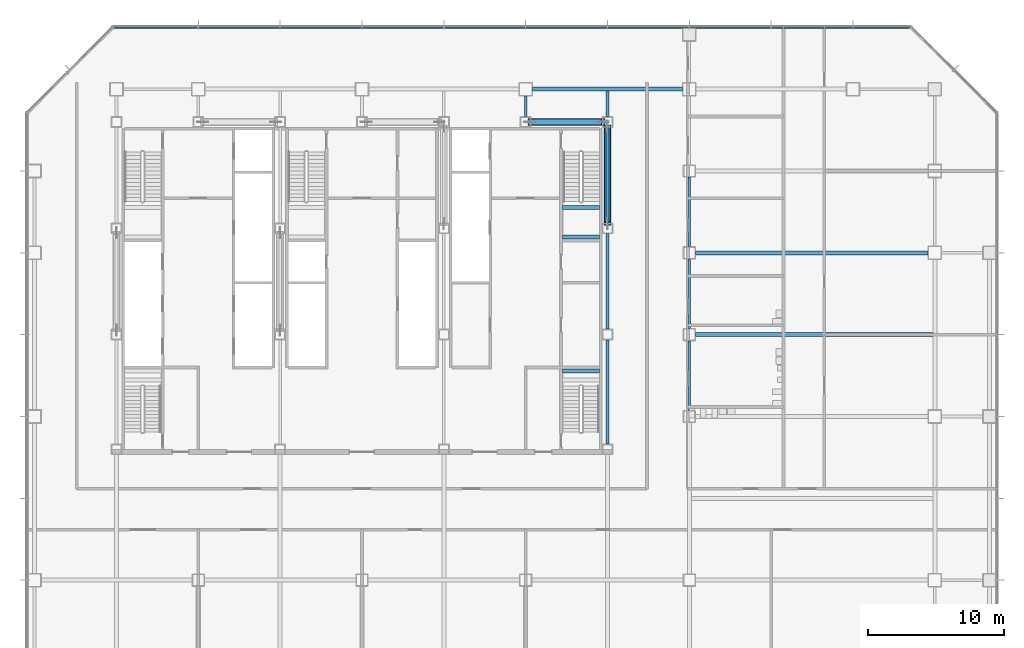
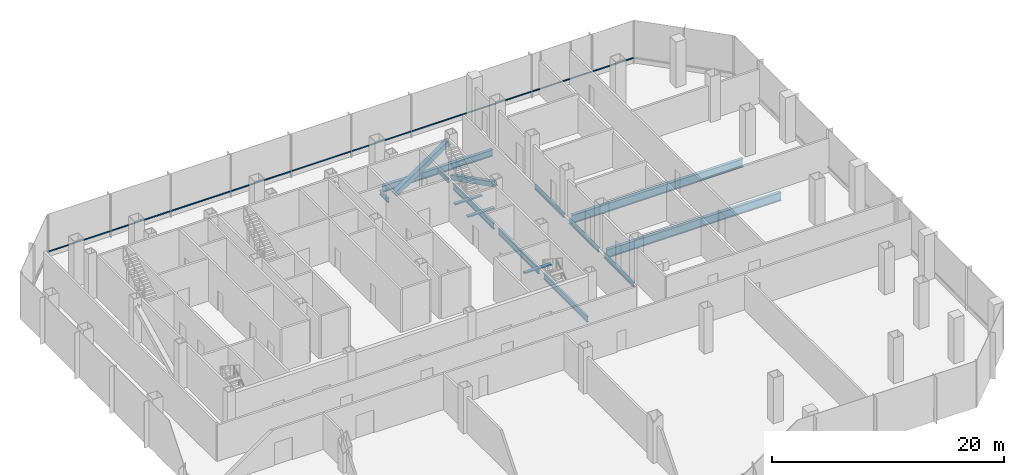
# One storey, part 15 of 34: 14 beams, 3 members, 1 element without a shape of its own.
"""IFC4 building model written with IfcOpenShell, lengths in metres."""

import ifcopenshell
import ifcopenshell.guid

model = None  # the IFC model being written
_history = None  # IfcOwnerHistory: only IFC2X3 demands one
_inside = {}  # id of a spatial element -> (the spatial element, [elements in it])
_under = {}  # id of a project, library or spatial element -> (it, [spatial elements below it])
_declared = {}  # id of a project -> (the project, [libraries it declares])
_typed = {}  # id of a type object -> (the type object, [elements of that type])
_made_of = {}  # id of a material, layer set ... -> (it, [elements and type objects made of it])


def new_model(schema):
    """Start an empty IFC model of exactly this schema.

    Asked for "IFC4X3", IfcOpenShell would pick the latest addendum, in which some entities
    have other attributes; the version numbers below select the first issue.
    IFC2X3 requires an IfcOwnerHistory on every rooted entity: one is made here for all.
    """
    global model, _history
    if schema == "IFC4X3":
        model = ifcopenshell.file(schema_version=(4, 3, 0, 0))
    else:
        model = ifcopenshell.file(schema=schema)
    _inside.clear()
    _under.clear()
    _declared.clear()
    _typed.clear()
    _made_of.clear()
    _history = None
    if model.schema == "IFC2X3":
        org = make("IfcOrganization", Name="unknown")
        user = make(
            "IfcPersonAndOrganization",
            ThePerson=make("IfcPerson", FamilyName="unknown"),
            TheOrganization=org,
        )
        app = make(
            "IfcApplication",
            ApplicationDeveloper=org,
            Version="unknown",
            ApplicationFullName="unknown",
            ApplicationIdentifier="unknown",
        )
        _history = make(
            "IfcOwnerHistory",
            OwningUser=user,
            OwningApplication=app,
            ChangeAction="ADDED",
            CreationDate=0,
        )
    return model


def make(cls, **values):
    """One entity of the class cls with the attributes given. An attribute that is None is left unset."""
    return model.create_entity(
        cls, **{name: value for name, value in values.items() if value is not None}
    )


def rooted(cls, **values):
    """An entity with a GlobalId (a new one), such as an element, a storey or a relation."""
    return make(cls, GlobalId=ifcopenshell.guid.new(), OwnerHistory=_history, **values)


def si_unit(unit_type, name, prefix=None):
    """IfcSIUnit, for example si_unit("LENGTHUNIT", "METRE", prefix="MILLI")."""
    return make("IfcSIUnit", UnitType=unit_type, Prefix=prefix, Name=name)


def assignment(units):
    """IfcUnitAssignment: the units of a project."""
    return None if units is None else make("IfcUnitAssignment", Units=units)


def point(xyz):
    """IfcCartesianPoint."""
    return None if xyz is None else make("IfcCartesianPoint", Coordinates=xyz)


def direction(xyz):
    """IfcDirection."""
    return None if xyz is None else make("IfcDirection", DirectionRatios=xyz)


def frame(location, z_axis=None, x_axis=None):
    """IfcAxis2Placement3D, a coordinate frame: its origin and axes. An axis left out is left unset."""
    return make(
        "IfcAxis2Placement3D",
        Location=point(location),
        Axis=direction(z_axis),
        RefDirection=direction(x_axis),
    )


def frame_2d(location, x_axis=None):
    """IfcAxis2Placement2D, a coordinate frame in the plane: its origin and x axis."""
    return make(
        "IfcAxis2Placement2D", Location=point(location), RefDirection=direction(x_axis)
    )


def origin():
    """The frame at (0, 0, 0) with its axes left unset."""
    return frame((0.0, 0.0, 0.0))


def origin_2d():
    """The frame at (0, 0) in the plane with its x axis left unset."""
    return frame_2d((0.0, 0.0))


def place(relative_to, where):
    """IfcLocalPlacement: puts the frame where relative to a parent placement (None: the world)."""
    return make(
        "IfcLocalPlacement", PlacementRelTo=relative_to, RelativePlacement=where
    )


def context(
    kind, dimensions, precision=None, world=None, true_north=None, identifier=None
):
    """IfcGeometricRepresentationContext, for example the 3D "Model" context."""
    return make(
        "IfcGeometricRepresentationContext",
        ContextIdentifier=identifier,
        ContextType=kind,
        CoordinateSpaceDimension=dimensions,
        Precision=precision,
        WorldCoordinateSystem=world,
        TrueNorth=true_north,
    )


def subcontext(parent, identifier, kind, view, scale=None):
    """IfcGeometricRepresentationSubContext, for example "Body" below "Model"."""
    return make(
        "IfcGeometricRepresentationSubContext",
        ContextIdentifier=identifier,
        ContextType=kind,
        ParentContext=parent,
        TargetScale=scale,
        TargetView=view,
    )


def project(units=None, contexts=None):
    """IfcProject with its units and contexts."""
    return rooted(
        "IfcProject",
        Name="project",
        RepresentationContexts=contexts,
        UnitsInContext=assignment(units),
    )


def spatial(cls, under=None, at=None, **own):
    """A site, building, storey or space (cls), placed at a placement, below another one or the project."""
    s = rooted(cls, ObjectPlacement=at, **own)
    if under is not None:
        _under.setdefault(under.id(), (under, []))[1].append(s)
    return s


def profile(cls, at=None, kind="AREA", **sizes):
    """A parametric profile (cls). Its sizes go by their IFC names, for example OverallWidth=200.0."""
    return make(cls, ProfileType=kind, Position=at, **sizes)


def rectangle(**sizes):
    """IfcRectangleProfileDef."""
    return profile("IfcRectangleProfileDef", **sizes)


def hollow_rectangle(**sizes):
    """IfcRectangleHollowProfileDef."""
    return profile("IfcRectangleHollowProfileDef", **sizes)


def i_section(**sizes):
    """IfcIShapeProfileDef."""
    return profile("IfcIShapeProfileDef", **sizes)


def extrude(swept, where, along, depth):
    """IfcExtrudedAreaSolid: the profile swept, set in the frame where, extruded along a direction by depth."""
    return make(
        "IfcExtrudedAreaSolid",
        SweptArea=swept,
        Position=where,
        ExtrudedDirection=direction(along),
        Depth=depth,
    )


def shape(context_of_items, identifier, shape_type, items):
    """IfcShapeRepresentation: the items that make up one representation, for example the "Body"."""
    return make(
        "IfcShapeRepresentation",
        ContextOfItems=context_of_items,
        RepresentationIdentifier=identifier,
        RepresentationType=shape_type,
        Items=items,
    )


def material(Name=None, Category=None):
    """IfcMaterial."""
    return make("IfcMaterial", Name=Name, Category=Category)


def material_profile(
    of_material, cross_section, Name=None, Category=None, Priority=None
):
    """IfcMaterialProfile: a cross section and its material."""
    return make(
        "IfcMaterialProfile",
        Name=Name,
        Material=of_material,
        Profile=cross_section,
        Priority=Priority,
        Category=Category,
    )


def profile_set(profiles, Name=None, composite=None):
    """IfcMaterialProfileSet."""
    return make(
        "IfcMaterialProfileSet",
        Name=Name,
        MaterialProfiles=profiles,
        CompositeProfile=composite,
    )


def made_of(thing, what):
    """Note that an element or type object is made of a material, layer set ...; save() writes the relation."""
    if what is not None:
        _made_of.setdefault(what.id(), (what, []))[1].append(thing)
    return thing


def type_object(cls, material=None, **own):
    """A type object (cls), such as IfcWallType, which elements share."""
    return made_of(rooted(cls, **own), material)


def element(
    cls,
    number,
    at=None,
    inside=None,
    cuts=None,
    type_object=None,
    material=None,
    context=None,
    identifier="Body",
    shape_type=None,
    held_by="IfcProductDefinitionShape",
    body=None,
    shapes=None,
    **own,
):
    """One element of the class cls, such as IfcWall. Its Tag is "e" and its number.

    at: its placement. inside: the storey or other place that contains it. cuts: it is an
    opening in that element (IfcRelVoidsElement). A single representation is given by context,
    identifier, shape_type and body (its items); several are given by shapes. held_by: the class
    of the entity that holds the representations. save() writes the other relations.
    """
    e = rooted(cls, Tag="e%d" % number, ObjectPlacement=at, **own)
    if body is not None:
        shapes = [shape(context, identifier, shape_type, body)]
    if shapes is not None:
        e.Representation = make(held_by, Representations=shapes)
    if inside is not None:
        _inside.setdefault(inside.id(), (inside, []))[1].append(e)
    if cuts is not None:
        rooted(
            "IfcRelVoidsElement", RelatingBuildingElement=cuts, RelatedOpeningElement=e
        )
    if type_object is not None:
        _typed.setdefault(type_object.id(), (type_object, []))[1].append(e)
    return made_of(e, material)


def aggregate(whole, parts):
    """IfcRelAggregates: a whole, such as a stair, and the parts it consists of."""
    return rooted("IfcRelAggregates", RelatingObject=whole, RelatedObjects=parts)


def save(model, path):
    """Write the relations noted so far, then the file.

    IfcRelAggregates (storeys below a building ...), IfcRelContainedInSpatialStructure (elements
    in a storey), IfcRelDefinesByType, IfcRelAssociatesMaterial and IfcRelDeclares: one each for
    every whole, place, type object, material and project.
    """
    for whole, parts in _under.values():
        aggregate(whole, parts)
    for where, things in _inside.values():
        rooted(
            "IfcRelContainedInSpatialStructure",
            RelatedElements=things,
            RelatingStructure=where,
        )
    for kind, things in _typed.values():
        rooted("IfcRelDefinesByType", RelatedObjects=things, RelatingType=kind)
    for what, things in _made_of.values():
        rooted("IfcRelAssociatesMaterial", RelatedObjects=things, RelatingMaterial=what)
    for by, libraries in _declared.values():
        rooted("IfcRelDeclares", RelatingContext=by, RelatedDefinitions=libraries)
    model.write(path)


model = new_model("IFC4")

# Units and contexts
model_context = context("Model", 3, precision=1e-05, world=origin(), true_north=direction((0.0, 1.0)))
body_context = subcontext(model_context, "Body", "Model", "MODEL_VIEW")
ifc_project = project(units=[si_unit("LENGTHUNIT", "METRE"), si_unit("AREAUNIT", "SQUARE_METRE"), si_unit("VOLUMEUNIT", "CUBIC_METRE"), si_unit("PLANEANGLEUNIT", "RADIAN"), si_unit("MASSUNIT", "GRAM", prefix="KILO")], contexts=[model_context])

# Site, building, storey
site_placement = place(None, origin())
site = spatial("IfcSite", under=ifc_project, at=site_placement, CompositionType="ELEMENT")
building_placement = place(site_placement, origin())
building = spatial("IfcBuilding", under=site, at=building_placement, Name="Sorahane Residences", CompositionType="ELEMENT")
storey_placement = place(building_placement, frame((0.0, 0.0, 39.60009765625)))
storey = spatial("IfcBuildingStorey", under=building, at=storey_placement, Name="L06", CompositionType="ELEMENT", Elevation=39.60009765625)

# Members
ifc_material_1 = material(Name="Steel Q355B", Category="steel")
ifc_material_profile_1 = material_profile(ifc_material_1, hollow_rectangle(XDim=0.5, YDim=0.5, WallThickness=0.02490234375, InnerFilletRadius=0.012451171875, OuterFilletRadius=0.03759765625, at=origin_2d()), Name="RHS 500x500x25")
ifc_profile_set_1 = profile_set([ifc_material_profile_1], Name="Steel Q355B")
member_type_1 = type_object("IfcMemberType", Name="Core brace RHS 500x500x25 Q355B", PredefinedType="BRACE", material=ifc_profile_set_1)
member_1_placement = place(storey_placement, frame((36.3154296875, 45.60009765625, 0.192138671875), z_axis=(0.825887140719, 0.0, 0.563835464294), x_axis=(0.0, 1.0, 0.0)))
element("IfcMember", 1, at=member_1_placement, inside=storey, type_object=member_type_1, Name="Core brace L06 y45.6-6", PredefinedType="BRACE", context=body_context, shape_type="SweptSolid", body=[
    extrude(hollow_rectangle(XDim=0.5, YDim=0.5, WallThickness=0.02490234375, InnerFilletRadius=0.012451171875, OuterFilletRadius=0.03759765625, at=origin_2d()), origin(), (0.0, 0.0, 1.0), 6.5009765625),
])
member_2_placement = place(storey_placement, frame((42.0, 45.267822265625, 0.215576171875), z_axis=(0.0, -0.891873982829, 0.452283980207), x_axis=(1.0, 0.0, 0.0)))
element("IfcMember", 2, at=member_2_placement, inside=storey, type_object=member_type_1, Name="Core brace L06 x42-3", PredefinedType="BRACE", context=body_context, shape_type="SweptSolid", body=[
    extrude(hollow_rectangle(XDim=0.5, YDim=0.5, WallThickness=0.02490234375, InnerFilletRadius=0.012451171875, OuterFilletRadius=0.03759765625, at=origin_2d()), origin(), (0.0, 0.0, 1.0), 8.000732421875),
])

# Curtain wall, member
ifc_material_2 = material(Name="Dark low-e glass and black anodised aluminium", Category="aluminium")
curtain_wall_type = type_object("IfcCurtainWallType", Name="Curtain wall CW-3 Podium unitised wall", PredefinedType="NOTDEFINED", material=ifc_material_2)
curtain_wall_placement = place(storey_placement, origin())
curtain_wall = element("IfcCurtainWall", 3, at=curtain_wall_placement, inside=storey, type_object=curtain_wall_type, Name="CW-3 curtain wall L06 N1", PredefinedType="NOTDEFINED")
ifc_material_3 = material(Name="Black anodised aluminium", Category="aluminium")
ifc_material_profile_2 = material_profile(ifc_material_3, rectangle(XDim=0.10009765625, YDim=0.06005859375, at=origin_2d()), Name="Curtain wall transom CW-3 black anodised aluminium 60x100")
ifc_profile_set_2 = profile_set([ifc_material_profile_2], Name="Black anodised aluminium")
member_type_2 = type_object("IfcMemberType", Name="Curtain wall transom CW-3 black anodised aluminium 60x100", PredefinedType="USERDEFINED", material=ifc_profile_set_2)
member_3_placement = place(storey_placement, frame((64.198486328125, 52.530029296875, 0.599853515625), z_axis=(-1.0, 0.0, 0.0), x_axis=(0.0, -1.0, 0.0)))
member_3 = element("IfcMember", 4, at=member_3_placement, type_object=member_type_2, Name="CW-3 transom L06 N1", ObjectType="TRANSOM", PredefinedType="USERDEFINED", context=body_context, shape_type="SweptSolid", body=[
    extrude(rectangle(XDim=0.10009765625, YDim=0.06005859375, at=origin_2d()), origin(), (0.0, 0.0, 1.0), 58.39697265625),
])
aggregate(curtain_wall, [member_3])

# Beams
ifc_material_4 = material(Name="Concrete C40", Category="concrete")
ifc_material_profile_3 = material_profile(ifc_material_4, rectangle(XDim=0.300048828125, YDim=0.139892578125, at=origin_2d()), Name="300x140")
ifc_profile_set_3 = profile_set([ifc_material_profile_3], Name="Concrete C40")
beam_type_1 = type_object("IfcBeamType", Name="RC landing beam 300 x 140 Concrete C40", PredefinedType="BEAM", material=ifc_profile_set_3)
for number, where, z_axis, x_axis, name in (
    (5, (38.699951171875, 37.14990234375, 2.1298828125), (1.0, 0.0, 0.0), (0.0, 1.0, 0.0), "Landing beam"),
    (6, (38.699951171875, 39.31005859375, 2.1298828125), (1.0, 0.0, 0.0), (0.0, 1.0, 0.0), "Landing beam"),
    (7, (38.699951171875, 27.35009765625, 2.1298828125), (1.0, 0.0, 0.0), (0.0, 1.0, 0.0), "Landing beam"),
):
    element("IfcBeam", number, at=place(storey_placement, frame(where, z_axis=z_axis, x_axis=x_axis)), inside=storey, type_object=beam_type_1, Name=name, PredefinedType="BEAM", context=body_context, shape_type="SweptSolid", body=[
        extrude(rectangle(XDim=0.300048828125, YDim=0.139892578125, at=origin_2d()), origin(), (0.0, 0.0, 1.0), 2.699951171875),
    ])
ifc_material_5 = material(Name="Steel Q355B", Category="steel")
ifc_material_profile_4 = material_profile(ifc_material_5, i_section(OverallWidth=0.199951171875, OverallDepth=0.449951171875, WebThickness=0.009033203125, FlangeThickness=0.013916015625, FilletRadius=0.02001953125, at=origin_2d()), Name="HN 450x200x9x14")
ifc_profile_set_4 = profile_set([ifc_material_profile_4], Name="Steel Q355B")
beam_type_2 = type_object("IfcBeamType", Name="Steel floor beam HN 450x200x9x14 Q355B", PredefinedType="BEAM", material=ifc_profile_set_4)
beam_1_placement = place(storey_placement, frame((36.0, 46.0, -0.625), z_axis=(0.0, 1.0, 0.0), x_axis=(-1.0, 0.0, 0.0)))
element("IfcBeam", 8, at=beam_1_placement, inside=storey, type_object=beam_type_2, Name="Beam L06 055", PredefinedType="BEAM", context=body_context, shape_type="SweptSolid", body=[
    extrude(i_section(OverallWidth=0.199951171875, OverallDepth=0.449951171875, WebThickness=0.009033203125, FlangeThickness=0.013916015625, FilletRadius=0.02001953125, at=origin_2d()), origin(), (0.0, 0.0, 1.0), 1.5),
])
beam_2_placement = place(storey_placement, frame((42.0, 46.0, -0.625), z_axis=(0.0, 1.0, 0.0), x_axis=(-1.0, 0.0, 0.0)))
element("IfcBeam", 9, at=beam_2_placement, inside=storey, type_object=beam_type_2, Name="Beam L06 061", PredefinedType="BEAM", context=body_context, shape_type="SweptSolid", body=[
    extrude(i_section(OverallWidth=0.199951171875, OverallDepth=0.449951171875, WebThickness=0.009033203125, FlangeThickness=0.013916015625, FilletRadius=0.02001953125, at=origin_2d()), origin(), (0.0, 0.0, 1.0), 1.85009765625),
])
for number, where, z_axis, x_axis, name in (
    (10, (48.0, 24.449951171875, -0.625), (0.0, 1.0, 0.0), (-1.0, 0.0, 0.0), "Beam L06 065"),
    (11, (48.0, 30.449951171875, -0.625), (0.0, 1.0, 0.0), (-1.0, 0.0, 0.0), "Beam L06 066"),
    (12, (48.0, 36.449951171875, -0.625), (0.0, 1.0, 0.0), (-1.0, 0.0, 0.0), "Beam L06 067"),
):
    element("IfcBeam", number, at=place(storey_placement, frame(where, z_axis=z_axis, x_axis=x_axis)), inside=storey, type_object=beam_type_2, Name=name, PredefinedType="BEAM", context=body_context, shape_type="SweptSolid", body=[
        extrude(i_section(OverallWidth=0.199951171875, OverallDepth=0.449951171875, WebThickness=0.009033203125, FlangeThickness=0.013916015625, FilletRadius=0.02001953125, at=origin_2d()), origin(), (0.0, 0.0, 1.0), 5.10009765625),
    ])
ifc_material_6 = material(Name="Steel Q355B", Category="steel")
ifc_material_profile_5 = material_profile(ifc_material_6, i_section(OverallWidth=0.199951171875, OverallDepth=0.60009765625, WebThickness=0.010986328125, FlangeThickness=0.01708984375, FilletRadius=0.02392578125, at=origin_2d()), Name="HN 600x200x11x17")
ifc_profile_set_5 = profile_set([ifc_material_profile_5], Name="Steel Q355B")
beam_type_3 = type_object("IfcBeamType", Name="Steel floor beam HN 600x200x11x17 Q355B", PredefinedType="BEAM", material=ifc_profile_set_5)
beam_3_placement = place(storey_placement, frame((42.0, 22.0, -0.7001953125), z_axis=(0.0, 1.0, 0.0), x_axis=(-1.0, 0.0, 0.0)))
element("IfcBeam", 13, at=beam_3_placement, inside=storey, type_object=beam_type_3, Name="Beam L06 058", PredefinedType="BEAM", context=body_context, shape_type="SweptSolid", body=[
    extrude(i_section(OverallWidth=0.199951171875, OverallDepth=0.60009765625, WebThickness=0.010986328125, FlangeThickness=0.01708984375, FilletRadius=0.02392578125, at=origin_2d()), origin(), (0.0, 0.0, 1.0), 7.60009765625),
])
for number, where, z_axis, x_axis, name in (
    (14, (42.0, 30.39990234375, -0.7001953125), (0.0, 1.0, 0.0), (-1.0, 0.0, 0.0), "Beam L06 059"),
    (15, (42.0, 38.199951171875, -0.7001953125), (0.0, 1.0, 0.0), (-1.0, 0.0, 0.0), "Beam L06 060"),
):
    element("IfcBeam", number, at=place(storey_placement, frame(where, z_axis=z_axis, x_axis=x_axis)), inside=storey, type_object=beam_type_3, Name=name, PredefinedType="BEAM", context=body_context, shape_type="SweptSolid", body=[
        extrude(i_section(OverallWidth=0.199951171875, OverallDepth=0.60009765625, WebThickness=0.010986328125, FlangeThickness=0.01708984375, FilletRadius=0.02392578125, at=origin_2d()), origin(), (0.0, 0.0, 1.0), 7.0),
    ])
ifc_material_7 = material(Name="Steel Q355B", Category="steel")
ifc_material_profile_6 = material_profile(ifc_material_7, i_section(OverallWidth=0.300048828125, OverallDepth=0.699951171875, WebThickness=0.012939453125, FlangeThickness=0.02392578125, FilletRadius=0.028076171875, at=origin_2d()), Name="HN 700x300x13x24")
ifc_profile_set_6 = profile_set([ifc_material_profile_6], Name="Steel Q355B")
beam_type_4 = type_object("IfcBeamType", Name="Steel floor beam HN 700x300x13x24 Q355B", PredefinedType="BEAM", material=ifc_profile_set_6)
beam_4_placement = place(storey_placement, frame((36.5, 48.0, -0.75), z_axis=(1.0, 0.0, 0.0), x_axis=(0.0, 1.0, 0.0)))
element("IfcBeam", 16, at=beam_4_placement, inside=storey, type_object=beam_type_4, Name="Beam L06 021", PredefinedType="BEAM", context=body_context, shape_type="SweptSolid", body=[
    extrude(i_section(OverallWidth=0.300048828125, OverallDepth=0.699951171875, WebThickness=0.012939453125, FlangeThickness=0.02392578125, FilletRadius=0.028076171875, at=origin_2d()), origin(), (0.0, 0.0, 1.0), 11.0),
])
ifc_material_8 = material(Name="Steel Q355B", Category="steel")
ifc_material_profile_7 = material_profile(ifc_material_8, i_section(OverallWidth=0.300048828125, OverallDepth=0.89990234375, WebThickness=0.01611328125, FlangeThickness=0.028076171875, FilletRadius=0.028076171875, at=origin_2d()), Name="HN 900x300x16x28")
ifc_profile_set_7 = profile_set([ifc_material_profile_7], Name="Steel Q355B")
beam_type_5 = type_object("IfcBeamType", Name="Steel floor beam HN 900x300x16x28 Q355B", PredefinedType="BEAM", material=ifc_profile_set_7)
beam_5_placement = place(storey_placement, frame((48.449951171875, 36.0, -0.85009765625), z_axis=(1.0, 0.0, 0.0), x_axis=(0.0, 1.0, 0.0)))
element("IfcBeam", 17, at=beam_5_placement, inside=storey, type_object=beam_type_5, Name="Beam L06 016", PredefinedType="BEAM", context=body_context, shape_type="SweptSolid", body=[
    extrude(i_section(OverallWidth=0.300048828125, OverallDepth=0.89990234375, WebThickness=0.01611328125, FlangeThickness=0.028076171875, FilletRadius=0.028076171875, at=origin_2d()), origin(), (0.0, 0.0, 1.0), 17.050048828125),
])
beam_6_placement = place(storey_placement, frame((48.4501953125, 30.0, -0.85009765625), z_axis=(1.0, 0.0, 0.0), x_axis=(0.0, 1.0, 0.0)))
element("IfcBeam", 18, at=beam_6_placement, inside=storey, type_object=beam_type_5, Name="Beam L06 085", PredefinedType="BEAM", context=body_context, shape_type="SweptSolid", body=[
    extrude(i_section(OverallWidth=0.300048828125, OverallDepth=0.89990234375, WebThickness=0.01611328125, FlangeThickness=0.028076171875, FilletRadius=0.028076171875, at=origin_2d()), origin(), (0.0, 0.0, 1.0), 17.399658203125),
])

save(model, "model.ifc")
